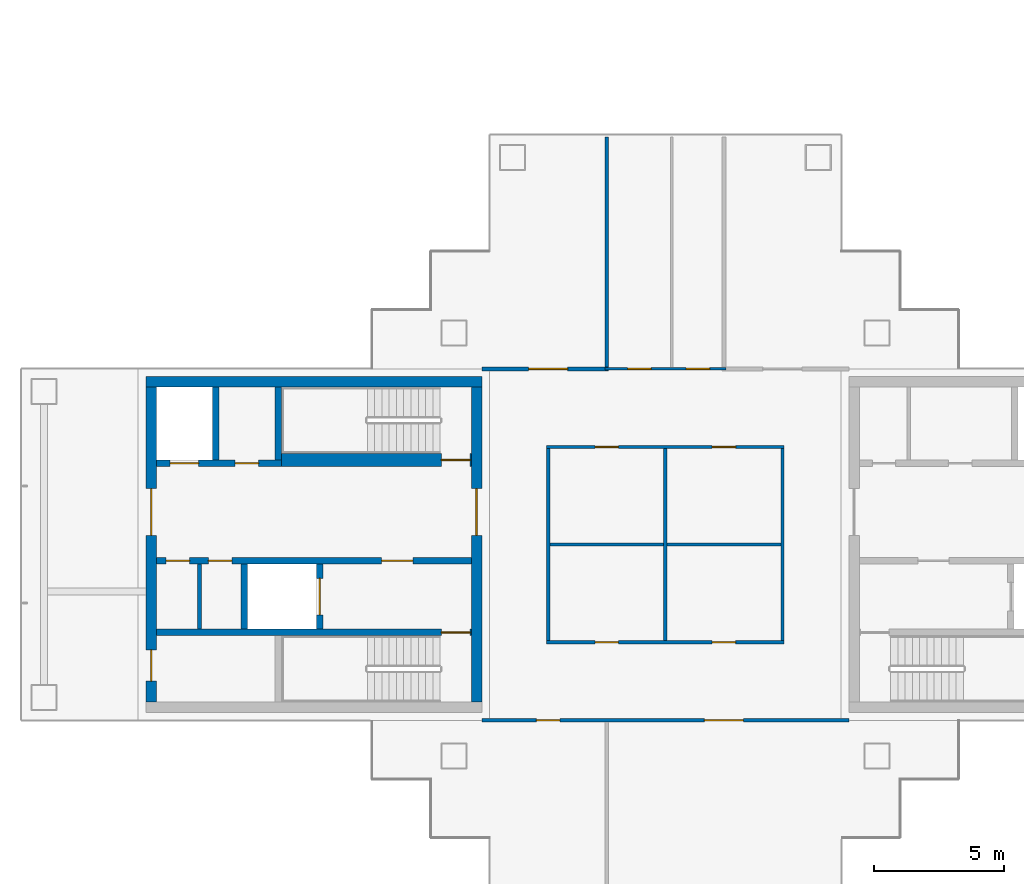
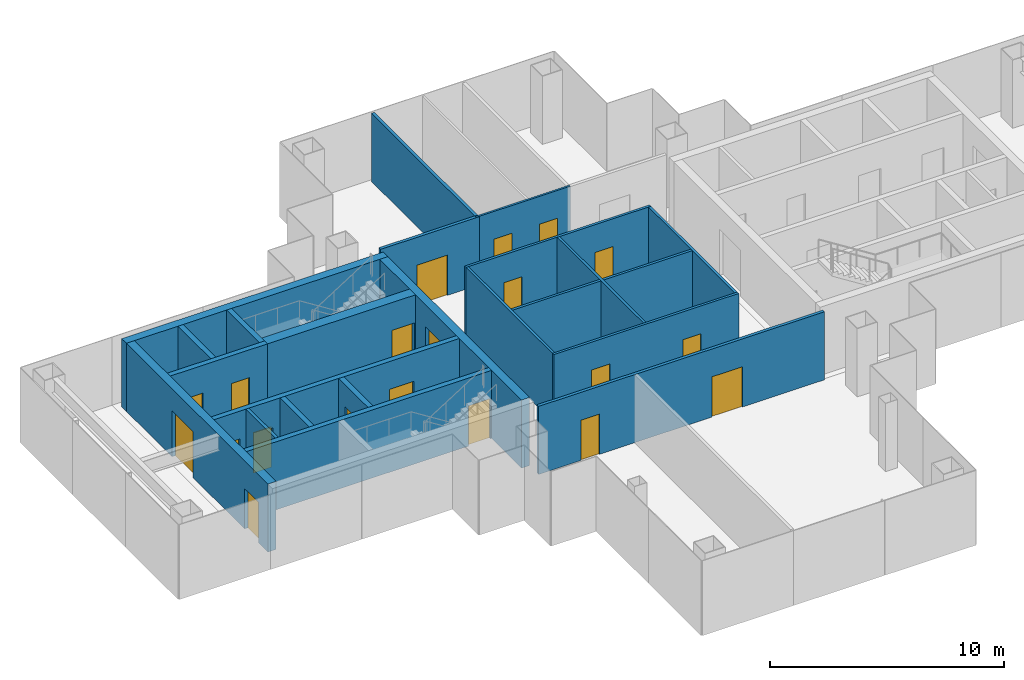
# One storey, part 9 of 16: 22 walls, 20 doors, 20 openings.
"""IFC4 building model written with IfcOpenShell, lengths in metres."""

from ifc_helpers import new_model, si_unit, direction, frame, frame_2d, origin, place, context, subcontext, project, spatial, rectangle, extrude, material, layer, layer_set, type_object, element, fill, save


model = new_model("IFC4")

# Units and contexts
model_context = context("Model", 3, precision=1e-05, world=origin(), true_north=direction((0.0, 1.0)))
body_context = subcontext(model_context, "Body", "Model", "MODEL_VIEW")
ifc_project = project(units=[si_unit("LENGTHUNIT", "METRE"), si_unit("AREAUNIT", "SQUARE_METRE"), si_unit("VOLUMEUNIT", "CUBIC_METRE"), si_unit("PLANEANGLEUNIT", "RADIAN"), si_unit("MASSUNIT", "GRAM", prefix="KILO")], contexts=[model_context])

# Site, building, storey
site_placement = place(None, origin())
site = spatial("IfcSite", under=ifc_project, at=site_placement, CompositionType="ELEMENT")
building_placement = place(site_placement, origin())
building = spatial("IfcBuilding", under=site, at=building_placement, Name="Shamsa Quay Exchange Towers", CompositionType="ELEMENT")
storey_placement = place(building_placement, frame((0.0, 0.0, 190.5)))
storey = spatial("IfcBuildingStorey", under=building, at=storey_placement, Name="L45", CompositionType="ELEMENT", Elevation=190.5)

# Wall
ifc_material_1 = material(Name="Concrete C60/75", Category="concrete")
ifc_layer_1 = layer(ifc_material_1, 0.39990234375)
ifc_layer_set_1 = layer_set([ifc_layer_1], Name="CORE WALL 400 C60/75")
wall_type_1 = type_object("IfcWallType", Name="CORE WALL 400 C60/75", PredefinedType="SHEAR", material=ifc_layer_set_1)
wall_1_placement = place(storey_placement, frame((-40.800048828125, 6.25, 0.0), z_axis=(0.0, 0.0, 1.0), x_axis=(-1.0, 0.0, 0.0)))
element("IfcWall", 1, at=wall_1_placement, inside=storey, type_object=wall_type_1, Name="Core wall T1B-R20-PN", PredefinedType="SHEAR", context=body_context, shape_type="SweptSolid", body=[
    extrude(rectangle(XDim=12.89990234375, YDim=0.39990234375, at=frame_2d((6.449951171875, 0.0))), origin(), (0.0, 0.0, 1.0), 3.550048828125),
])

# Wall, opening, door
wall_2_placement = place(storey_placement, frame((-41.0, -6.050048828125, 0.0), z_axis=(0.0, 0.0, 1.0), x_axis=(0.0, 1.0, 0.0)))
wall_2 = element("IfcWall", 2, at=wall_2_placement, inside=storey, type_object=wall_type_1, Name="Core wall T1B-R20-PF", PredefinedType="SHEAR", context=body_context, shape_type="SweptSolid", body=[
    extrude(rectangle(XDim=12.10009765625, YDim=0.39990234375, at=frame_2d((6.050048828125, 0.0))), origin(), (0.0, 0.0, 1.0), 3.550048828125),
])
opening_1_placement = place(wall_2_placement, frame((6.39990234375, 0.0, 0.0)))
opening_1 = element("IfcOpeningElement", 3, at=opening_1_placement, cuts=wall_2, Name="Opening T1B-R20-LBD01", PredefinedType="OPENING", context=body_context, shape_type="SweptSolid", body=[
    extrude(rectangle(XDim=1.800048828125, YDim=2.39990234375, at=frame_2d((0.89990234375, 1.199951171875))), frame((0.0, 0.2099609375, 0.0), z_axis=(0.0, -1.0, 0.0), x_axis=(1.0, 0.0, 0.0)), (0.0, 0.0, 1.0), 0.419921875),
])
ifc_material_2 = material(Name="Steel, fire rated", Category="steel")
door_type_1 = type_object("IfcDoorType", Name="LIFT LOBBY DOOR PAIR 1800", OperationType="DOUBLE_DOOR_SINGLE_SWING", PredefinedType="DOOR", material=ifc_material_2)
door_1_placement = place(opening_1_placement, origin())
door_1 = element("IfcDoor", 4, at=door_1_placement, inside=storey, type_object=door_type_1, Name="T1B-R20-LBD01", OperationType="DOUBLE_DOOR_SINGLE_SWING", OverallHeight=2.39990234375, OverallWidth=1.800048828125, PredefinedType="DOOR", context=body_context, shape_type="SweptSolid", body=[
    extrude(rectangle(XDim=1.800048828125, YDim=2.39990234375, at=frame_2d((0.89990234375, 1.199951171875))), frame((0.0, 0.02490234375, 0.0), z_axis=(0.0, -1.0, 0.0), x_axis=(1.0, 0.0, 0.0)), (0.0, 0.0, 1.0), 0.050048828125),
])
fill(opening_1, door_1)

# Wall, openings, doors
wall_3_placement = place(storey_placement, frame((-53.5, -6.050048828125, 0.0), z_axis=(0.0, 0.0, 1.0), x_axis=(0.0, 1.0, 0.0)))
wall_3 = element("IfcWall", 5, at=wall_3_placement, inside=storey, type_object=wall_type_1, Name="Core wall T1B-R20-PB", PredefinedType="SHEAR", context=body_context, shape_type="SweptSolid", body=[
    extrude(rectangle(XDim=12.10009765625, YDim=0.39990234375, at=frame_2d((6.050048828125, 0.0))), origin(), (0.0, 0.0, 1.0), 3.550048828125),
])
opening_2_placement = place(wall_3_placement, frame((0.800048828125, 0.0, 0.0)))
opening_2 = element("IfcOpeningElement", 6, at=opening_2_placement, cuts=wall_3, Name="Opening T1B-R20-RD02", PredefinedType="OPENING", context=body_context, shape_type="SweptSolid", body=[
    extrude(rectangle(XDim=1.199951171875, YDim=2.10009765625, at=frame_2d((0.60009765625, 1.050048828125))), frame((0.0, 0.2099609375, 0.0), z_axis=(0.0, -1.0, 0.0), x_axis=(1.0, 0.0, 0.0)), (0.0, 0.0, 1.0), 0.419921875),
])
opening_3_placement = place(wall_3_placement, frame((6.39990234375, 0.0, 0.0)))
opening_3 = element("IfcOpeningElement", 7, at=opening_3_placement, cuts=wall_3, Name="Opening T1B-R20-LBD03", PredefinedType="OPENING", context=body_context, shape_type="SweptSolid", body=[
    extrude(rectangle(XDim=1.800048828125, YDim=2.39990234375, at=frame_2d((0.89990234375, 1.199951171875))), frame((0.0, 0.2099609375, 0.0), z_axis=(0.0, -1.0, 0.0), x_axis=(1.0, 0.0, 0.0)), (0.0, 0.0, 1.0), 0.419921875),
])
door_2_placement = place(opening_3_placement, origin())
door_2 = element("IfcDoor", 8, at=door_2_placement, inside=storey, type_object=door_type_1, Name="T1B-R20-LBD03", OperationType="DOUBLE_DOOR_SINGLE_SWING", OverallHeight=2.39990234375, OverallWidth=1.800048828125, PredefinedType="DOOR", context=body_context, shape_type="SweptSolid", body=[
    extrude(rectangle(XDim=1.800048828125, YDim=2.39990234375, at=frame_2d((0.89990234375, 1.199951171875))), frame((0.0, 0.02490234375, 0.0), z_axis=(0.0, -1.0, 0.0), x_axis=(1.0, 0.0, 0.0)), (0.0, 0.0, 1.0), 0.050048828125),
])
fill(opening_3, door_2)
door_type_2 = type_object("IfcDoorType", Name="RISER ACCESS DOOR 1200", OperationType="SINGLE_SWING_LEFT", PredefinedType="DOOR", material=ifc_material_2)
door_3_placement = place(opening_2_placement, origin())
door_3 = element("IfcDoor", 9, at=door_3_placement, inside=storey, type_object=door_type_2, Name="T1B-R20-RD02", OperationType="SINGLE_SWING_LEFT", OverallHeight=2.10009765625, OverallWidth=1.199951171875, PredefinedType="DOOR", context=body_context, shape_type="SweptSolid", body=[
    extrude(rectangle(XDim=1.199951171875, YDim=2.10009765625, at=frame_2d((0.60009765625, 1.050048828125))), frame((0.0, 0.02490234375, 0.0), z_axis=(0.0, -1.0, 0.0), x_axis=(1.0, 0.0, 0.0)), (0.0, 0.0, 1.0), 0.050048828125),
])
fill(opening_2, door_3)

# Walls
ifc_material_3 = material(Name="Gypsum board on steel studs, EI 60", Category="steel")
ifc_layer_2 = layer(ifc_material_3, 0.14990234375)
ifc_layer_set_2 = layer_set([ifc_layer_2], Name="FIRE PARTITION 150")
wall_type_2 = type_object("IfcWallType", Name="FIRE PARTITION 150", PredefinedType="PARTITIONING", material=ifc_layer_set_2)
wall_4_placement = place(storey_placement, frame((-51.64990234375, -3.25, 0.0), z_axis=(0.0, 0.0, 1.0), x_axis=(0.0, 1.0, 0.0)))
element("IfcWall", 10, at=wall_4_placement, inside=storey, type_object=wall_type_2, Name="Partition T1B-R20-EC0", PredefinedType="PARTITIONING", context=body_context, shape_type="SweptSolid", body=[
    extrude(rectangle(XDim=2.5, YDim=0.14990234375, at=frame_2d((1.25, 0.0))), origin(), (0.0, 0.0, 1.0), 3.550048828125),
])
ifc_material_4 = material(Name="Laminated fire-resisting glass in a metal frame", Category="glass")
ifc_layer_3 = layer(ifc_material_4, 0.125)
ifc_layer_set_3 = layer_set([ifc_layer_3], Name="Glazed partition 125 mm EI 60")
wall_type_3 = type_object("IfcWallType", Name="Glazed partition 125 mm EI 60", PredefinedType="PARTITIONING", material=ifc_layer_set_3)
wall_5_placement = place(storey_placement, frame((-29.25, -3.6875, 0.0), z_axis=(0.0, 0.0, 1.0), x_axis=(0.0, 1.0, 0.0)))
element("IfcWall", 11, at=wall_5_placement, inside=storey, type_object=wall_type_3, Name="Partition T1-R20-W01", PredefinedType="PARTITIONING", context=body_context, shape_type="SweptSolid", body=[
    extrude(rectangle(XDim=7.375, YDim=0.125, at=frame_2d((3.6875, 0.0))), origin(), (0.0, 0.0, 1.0), 3.550048828125),
])

# Wall, openings, doors
wall_6_placement = place(storey_placement, frame((-29.1875, 3.75, 0.0), z_axis=(0.0, 0.0, 1.0), x_axis=(-1.0, 0.0, 0.0)))
wall_6 = element("IfcWall", 12, at=wall_6_placement, inside=storey, type_object=wall_type_3, Name="Partition T1-R20-W02", PredefinedType="PARTITIONING", context=body_context, shape_type="SweptSolid", body=[
    extrude(rectangle(XDim=9.125, YDim=0.125, at=frame_2d((4.5625, 0.0))), origin(), (0.0, 0.0, 1.0), 3.550048828125),
])
opening_4_placement = place(wall_6_placement, frame((1.862548828125, 0.0, 0.0)))
opening_4 = element("IfcOpeningElement", 13, at=opening_4_placement, cuts=wall_6, Name="Opening T1-R20-D07", PredefinedType="OPENING", context=body_context, shape_type="SweptSolid", body=[
    extrude(rectangle(XDim=0.89990234375, YDim=2.10009765625, at=frame_2d((0.449951171875, 1.050048828125))), frame((0.0, 0.072509765625, 0.0), z_axis=(0.0, -1.0, 0.0), x_axis=(1.0, 0.0, 0.0)), (0.0, 0.0, 1.0), 0.14501953125),
])
opening_5_placement = place(wall_6_placement, frame((6.362548828125, 0.0, 0.0)))
opening_5 = element("IfcOpeningElement", 14, at=opening_5_placement, cuts=wall_6, Name="Opening T1-R20-D08", PredefinedType="OPENING", context=body_context, shape_type="SweptSolid", body=[
    extrude(rectangle(XDim=0.89990234375, YDim=2.10009765625, at=frame_2d((0.449951171875, 1.050048828125))), frame((0.0, 0.072509765625, 0.0), z_axis=(0.0, -1.0, 0.0), x_axis=(1.0, 0.0, 0.0)), (0.0, 0.0, 1.0), 0.14501953125),
])
ifc_material_5 = material(Name="Timber door leaf in a metal frame", Category="wood")
door_type_3 = type_object("IfcDoorType", Name="Door 900x2100 FD30S", OperationType="NOTDEFINED", PredefinedType="DOOR", material=ifc_material_5)
door_4_placement = place(opening_4_placement, origin())
door_4 = element("IfcDoor", 15, at=door_4_placement, inside=storey, type_object=door_type_3, Name="Door T1-R20-D07", OperationType="SINGLE_SWING_LEFT", OverallHeight=2.10009765625, OverallWidth=0.89990234375, PredefinedType="DOOR", context=body_context, shape_type="SweptSolid", body=[
    extrude(rectangle(XDim=0.89990234375, YDim=2.10009765625, at=frame_2d((0.449951171875, 1.050048828125))), frame((0.0, 0.02490234375, 0.0), z_axis=(0.0, -1.0, 0.0), x_axis=(1.0, 0.0, 0.0)), (0.0, 0.0, 1.0), 0.050048828125),
])
fill(opening_4, door_4)
door_5_placement = place(opening_5_placement, origin())
door_5 = element("IfcDoor", 16, at=door_5_placement, inside=storey, type_object=door_type_3, Name="Door T1-R20-D08", OperationType="SINGLE_SWING_RIGHT", OverallHeight=2.10009765625, OverallWidth=0.89990234375, PredefinedType="DOOR", context=body_context, shape_type="SweptSolid", body=[
    extrude(rectangle(XDim=0.89990234375, YDim=2.10009765625, at=frame_2d((0.449951171875, 1.050048828125))), frame((0.0, 0.02490234375, 0.0), z_axis=(0.0, -1.0, 0.0), x_axis=(1.0, 0.0, 0.0)), (0.0, 0.0, 1.0), 0.050048828125),
])
fill(opening_5, door_5)

wall_7_placement = place(storey_placement, frame((-38.3125, -3.75, 0.0)))
wall_7 = element("IfcWall", 17, at=wall_7_placement, inside=storey, type_object=wall_type_3, Name="Partition T1-R20-W03", PredefinedType="PARTITIONING", context=body_context, shape_type="SweptSolid", body=[
    extrude(rectangle(XDim=9.125, YDim=0.125, at=frame_2d((4.5625, 0.0))), origin(), (0.0, 0.0, 1.0), 3.550048828125),
])
opening_6_placement = place(wall_7_placement, frame((1.862548828125, 0.0, 0.0)))
opening_6 = element("IfcOpeningElement", 18, at=opening_6_placement, cuts=wall_7, Name="Opening T1-R20-D02", PredefinedType="OPENING", context=body_context, shape_type="SweptSolid", body=[
    extrude(rectangle(XDim=0.89990234375, YDim=2.10009765625, at=frame_2d((0.449951171875, 1.050048828125))), frame((0.0, 0.072509765625, 0.0), z_axis=(0.0, -1.0, 0.0), x_axis=(1.0, 0.0, 0.0)), (0.0, 0.0, 1.0), 0.14501953125),
])
opening_7_placement = place(wall_7_placement, frame((6.362548828125, 0.0, 0.0)))
opening_7 = element("IfcOpeningElement", 19, at=opening_7_placement, cuts=wall_7, Name="Opening T1-R20-D03", PredefinedType="OPENING", context=body_context, shape_type="SweptSolid", body=[
    extrude(rectangle(XDim=0.89990234375, YDim=2.10009765625, at=frame_2d((0.449951171875, 1.050048828125))), frame((0.0, 0.072509765625, 0.0), z_axis=(0.0, -1.0, 0.0), x_axis=(1.0, 0.0, 0.0)), (0.0, 0.0, 1.0), 0.14501953125),
])
door_6_placement = place(opening_6_placement, origin())
door_6 = element("IfcDoor", 20, at=door_6_placement, inside=storey, type_object=door_type_3, Name="Door T1-R20-D02", OperationType="SINGLE_SWING_LEFT", OverallHeight=2.10009765625, OverallWidth=0.89990234375, PredefinedType="DOOR", context=body_context, shape_type="SweptSolid", body=[
    extrude(rectangle(XDim=0.89990234375, YDim=2.10009765625, at=frame_2d((0.449951171875, 1.050048828125))), frame((0.0, 0.02490234375, 0.0), z_axis=(0.0, -1.0, 0.0), x_axis=(1.0, 0.0, 0.0)), (0.0, 0.0, 1.0), 0.050048828125),
])
fill(opening_6, door_6)
door_7_placement = place(opening_7_placement, origin())
door_7 = element("IfcDoor", 21, at=door_7_placement, inside=storey, type_object=door_type_3, Name="Door T1-R20-D03", OperationType="SINGLE_SWING_LEFT", OverallHeight=2.10009765625, OverallWidth=0.89990234375, PredefinedType="DOOR", context=body_context, shape_type="SweptSolid", body=[
    extrude(rectangle(XDim=0.89990234375, YDim=2.10009765625, at=frame_2d((0.449951171875, 1.050048828125))), frame((0.0, 0.02490234375, 0.0), z_axis=(0.0, -1.0, 0.0), x_axis=(1.0, 0.0, 0.0)), (0.0, 0.0, 1.0), 0.050048828125),
])
fill(opening_7, door_7)

# Walls
wall_8_placement = place(storey_placement, frame((-38.25, 3.6875, 0.0), z_axis=(0.0, 0.0, 1.0), x_axis=(0.0, -1.0, 0.0)))
element("IfcWall", 22, at=wall_8_placement, inside=storey, type_object=wall_type_3, Name="Partition T1-R20-W04", PredefinedType="PARTITIONING", context=body_context, shape_type="SweptSolid", body=[
    extrude(rectangle(XDim=7.375, YDim=0.125, at=frame_2d((3.6875, 0.0))), origin(), (0.0, 0.0, 1.0), 3.550048828125),
])
wall_9_placement = place(storey_placement, frame((-38.1875, 0.0, 0.0)))
element("IfcWall", 23, at=wall_9_placement, inside=storey, type_object=wall_type_3, Name="Partition T1-R20-W09", PredefinedType="PARTITIONING", context=body_context, shape_type="SweptSolid", body=[
    extrude(rectangle(XDim=8.875, YDim=0.125, at=frame_2d((4.4375, 0.0))), origin(), (0.0, 0.0, 1.0), 3.550048828125),
])
wall_10_placement = place(storey_placement, frame((-33.75, 3.6875, 0.0), z_axis=(0.0, 0.0, 1.0), x_axis=(0.0, -1.0, 0.0)))
element("IfcWall", 24, at=wall_10_placement, inside=storey, type_object=wall_type_3, Name="Partition T1-R20-W10", PredefinedType="PARTITIONING", context=body_context, shape_type="SweptSolid", body=[
    extrude(rectangle(XDim=7.375, YDim=0.125, at=frame_2d((3.6875, 0.0))), origin(), (0.0, 0.0, 1.0), 3.550048828125),
])

# Wall, openings, doors
ifc_material_6 = material(Name="Gypsum board partition on metal studs")
ifc_layer_4 = layer(ifc_material_6, 0.10009765625)
ifc_layer_set_4 = layer_set([ifc_layer_4], Name="Partition 100 mm NOT RATED")
wall_type_4 = type_object("IfcWallType", Name="Partition 100 mm NOT RATED", PredefinedType="PARTITIONING", material=ifc_layer_set_4)
wall_11_placement = place(storey_placement, frame((-36.074951171875, 6.75, 0.0)))
wall_11 = element("IfcWall", 25, at=wall_11_placement, inside=storey, type_object=wall_type_4, Name="Partition T1-R20-W07", PredefinedType="PARTITIONING", context=body_context, shape_type="SweptSolid", body=[
    extrude(rectangle(XDim=4.64990234375, YDim=0.10009765625, at=frame_2d((2.324951171875, 0.0))), origin(), (0.0, 0.0, 1.0), 3.550048828125),
])
opening_8_placement = place(wall_11_placement, frame((0.875, 0.0, 0.0)))
opening_8 = element("IfcOpeningElement", 26, at=opening_8_placement, cuts=wall_11, Name="Opening T1-R20-D04", PredefinedType="OPENING", context=body_context, shape_type="SweptSolid", body=[
    extrude(rectangle(XDim=0.89990234375, YDim=2.10009765625, at=frame_2d((0.449951171875, 1.050048828125))), frame((0.0, 0.06005859375, 0.0), z_axis=(0.0, -1.0, 0.0), x_axis=(1.0, 0.0, 0.0)), (0.0, 0.0, 1.0), 0.1201171875),
])
opening_9_placement = place(wall_11_placement, frame((3.125, 0.0, 0.0)))
opening_9 = element("IfcOpeningElement", 27, at=opening_9_placement, cuts=wall_11, Name="Opening T1-R20-D05", PredefinedType="OPENING", context=body_context, shape_type="SweptSolid", body=[
    extrude(rectangle(XDim=0.89990234375, YDim=2.10009765625, at=frame_2d((0.449951171875, 1.050048828125))), frame((0.0, 0.06005859375, 0.0), z_axis=(0.0, -1.0, 0.0), x_axis=(1.0, 0.0, 0.0)), (0.0, 0.0, 1.0), 0.1201171875),
])
door_type_4 = type_object("IfcDoorType", Name="Door 900x2100 NOT RATED", OperationType="NOTDEFINED", PredefinedType="DOOR", material=ifc_material_5)
door_8_placement = place(opening_8_placement, origin())
door_8 = element("IfcDoor", 28, at=door_8_placement, inside=storey, type_object=door_type_4, Name="Door T1-R20-D04", OperationType="SINGLE_SWING_RIGHT", OverallHeight=2.10009765625, OverallWidth=0.89990234375, PredefinedType="DOOR", context=body_context, shape_type="SweptSolid", body=[
    extrude(rectangle(XDim=0.89990234375, YDim=2.10009765625, at=frame_2d((0.449951171875, 1.050048828125))), frame((0.0, 0.02490234375, 0.0), z_axis=(0.0, -1.0, 0.0), x_axis=(1.0, 0.0, 0.0)), (0.0, 0.0, 1.0), 0.050048828125),
])
fill(opening_8, door_8)
door_9_placement = place(opening_9_placement, origin())
door_9 = element("IfcDoor", 29, at=door_9_placement, inside=storey, type_object=door_type_4, Name="Door T1-R20-D05", OperationType="SINGLE_SWING_RIGHT", OverallHeight=2.10009765625, OverallWidth=0.89990234375, PredefinedType="DOOR", context=body_context, shape_type="SweptSolid", body=[
    extrude(rectangle(XDim=0.89990234375, YDim=2.10009765625, at=frame_2d((0.449951171875, 1.050048828125))), frame((0.0, 0.02490234375, 0.0), z_axis=(0.0, -1.0, 0.0), x_axis=(1.0, 0.0, 0.0)), (0.0, 0.0, 1.0), 0.050048828125),
])
fill(opening_9, door_9)

# Wall, opening, door
ifc_layer_5 = layer(ifc_material_6, 0.14990234375)
ifc_layer_set_5 = layer_set([ifc_layer_5], Name="Partition 150 mm EI 60")
wall_type_5 = type_object("IfcWallType", Name="Partition 150 mm EI 60", PredefinedType="PARTITIONING", material=ifc_layer_set_5)
wall_12_placement = place(storey_placement, frame((-40.800048828125, 6.75, 0.0)))
wall_12 = element("IfcWall", 30, at=wall_12_placement, inside=storey, type_object=wall_type_5, Name="Partition T1-R20-W05", PredefinedType="PARTITIONING", context=body_context, shape_type="SweptSolid", body=[
    extrude(rectangle(XDim=4.875, YDim=0.14990234375, at=frame_2d((2.4375, 0.0))), origin(), (0.0, 0.0, 1.0), 3.550048828125),
])
opening_10_placement = place(wall_12_placement, frame((1.800048828125, 0.0, 0.0)))
opening_10 = element("IfcOpeningElement", 31, at=opening_10_placement, cuts=wall_12, Name="Opening T1-R20-D01", PredefinedType="OPENING", context=body_context, shape_type="SweptSolid", body=[
    extrude(rectangle(XDim=1.5, YDim=2.10009765625, at=frame_2d((0.75, 1.050048828125))), frame((0.0, 0.0849609375, 0.0), z_axis=(0.0, -1.0, 0.0), x_axis=(1.0, 0.0, 0.0)), (0.0, 0.0, 1.0), 0.169921875),
])
door_type_5 = type_object("IfcDoorType", Name="Door 1500x2100 FD30S pair", OperationType="NOTDEFINED", PredefinedType="DOOR", material=ifc_material_5)
door_10_placement = place(opening_10_placement, origin())
door_10 = element("IfcDoor", 32, at=door_10_placement, inside=storey, type_object=door_type_5, Name="Door T1-R20-D01", OperationType="DOUBLE_DOOR_SINGLE_SWING", OverallHeight=2.10009765625, OverallWidth=1.5, PredefinedType="DOOR", context=body_context, shape_type="SweptSolid", body=[
    extrude(rectangle(XDim=1.5, YDim=2.10009765625, at=frame_2d((0.75, 1.050048828125))), frame((0.0, 0.02490234375, 0.0), z_axis=(0.0, -1.0, 0.0), x_axis=(1.0, 0.0, 0.0)), (0.0, 0.0, 1.0), 0.050048828125),
])
fill(opening_10, door_10)

# Wall, openings, doors
wall_13_placement = place(storey_placement, frame((-26.699951171875, -6.75, 0.0), z_axis=(0.0, 0.0, 1.0), x_axis=(-1.0, 0.0, 0.0)))
wall_13 = element("IfcWall", 33, at=wall_13_placement, inside=storey, type_object=wall_type_5, Name="Partition T1-R20-W08", PredefinedType="PARTITIONING", context=body_context, shape_type="SweptSolid", body=[
    extrude(rectangle(XDim=14.10009765625, YDim=0.14990234375, at=frame_2d((7.050048828125, 0.0))), origin(), (0.0, 0.0, 1.0), 3.550048828125),
])
opening_11_placement = place(wall_13_placement, frame((4.050048828125, 0.0, 0.0)))
opening_11 = element("IfcOpeningElement", 34, at=opening_11_placement, cuts=wall_13, Name="Opening T1-R20-D09", PredefinedType="OPENING", context=body_context, shape_type="SweptSolid", body=[
    extrude(rectangle(XDim=1.5, YDim=2.10009765625, at=frame_2d((0.75, 1.050048828125))), frame((0.0, 0.0849609375, 0.0), z_axis=(0.0, -1.0, 0.0), x_axis=(1.0, 0.0, 0.0)), (0.0, 0.0, 1.0), 0.169921875),
])
opening_12_placement = place(wall_13_placement, frame((11.10009765625, 0.0, 0.0)))
opening_12 = element("IfcOpeningElement", 35, at=opening_12_placement, cuts=wall_13, Name="Opening T1-R20-D10", PredefinedType="OPENING", context=body_context, shape_type="SweptSolid", body=[
    extrude(rectangle(XDim=0.89990234375, YDim=2.10009765625, at=frame_2d((0.449951171875, 1.050048828125))), frame((0.0, 0.0849609375, 0.0), z_axis=(0.0, -1.0, 0.0), x_axis=(1.0, 0.0, 0.0)), (0.0, 0.0, 1.0), 0.169921875),
])
door_11_placement = place(opening_11_placement, origin())
door_11 = element("IfcDoor", 36, at=door_11_placement, inside=storey, type_object=door_type_5, Name="Door T1-R20-D09", OperationType="DOUBLE_DOOR_SINGLE_SWING", OverallHeight=2.10009765625, OverallWidth=1.5, PredefinedType="DOOR", context=body_context, shape_type="SweptSolid", body=[
    extrude(rectangle(XDim=1.5, YDim=2.10009765625, at=frame_2d((0.75, 1.050048828125))), frame((0.0, 0.02490234375, 0.0), z_axis=(0.0, -1.0, 0.0), x_axis=(1.0, 0.0, 0.0)), (0.0, 0.0, 1.0), 0.050048828125),
])
fill(opening_11, door_11)
door_12_placement = place(opening_12_placement, origin())
door_12 = element("IfcDoor", 37, at=door_12_placement, inside=storey, type_object=door_type_3, Name="Door T1-R20-D10", OperationType="SINGLE_SWING_LEFT", OverallHeight=2.10009765625, OverallWidth=0.89990234375, PredefinedType="DOOR", context=body_context, shape_type="SweptSolid", body=[
    extrude(rectangle(XDim=0.89990234375, YDim=2.10009765625, at=frame_2d((0.449951171875, 1.050048828125))), frame((0.0, 0.02490234375, 0.0), z_axis=(0.0, -1.0, 0.0), x_axis=(1.0, 0.0, 0.0)), (0.0, 0.0, 1.0), 0.050048828125),
])
fill(opening_12, door_12)

# Wall
wall_14_placement = place(storey_placement, frame((-36.0, 6.824951171875, 0.0), z_axis=(0.0, 0.0, 1.0), x_axis=(0.0, 1.0, 0.0)))
element("IfcWall", 38, at=wall_14_placement, inside=storey, type_object=wall_type_5, Name="Partition T1-R20-W12", PredefinedType="PARTITIONING", context=body_context, shape_type="SweptSolid", body=[
    extrude(rectangle(XDim=8.830078125, YDim=0.14990234375, at=frame_2d((4.4150390625, 0.0))), origin(), (0.0, 0.0, 1.0), 3.550048828125),
])

# Wall, opening, door
ifc_material_7 = material(Name="Concrete C50/60", Category="concrete")
ifc_layer_6 = layer(ifc_material_7, 0.25)
ifc_layer_set_6 = layer_set([ifc_layer_6], Name="SHAFT WALL 250 C50/60")
wall_type_6 = type_object("IfcWallType", Name="SHAFT WALL 250 C50/60", PredefinedType="SHEAR", material=ifc_layer_set_6)
wall_15_placement = place(storey_placement, frame((-41.199951171875, -3.375, 0.0), z_axis=(0.0, 0.0, 1.0), x_axis=(-1.0, 0.0, 0.0)))
wall_15 = element("IfcWall", 39, at=wall_15_placement, inside=storey, type_object=wall_type_6, Name="Shaft wall T1B-R20-STL", PredefinedType="SHEAR", context=body_context, shape_type="SweptSolid", body=[
    extrude(rectangle(XDim=12.10009765625, YDim=0.25, at=frame_2d((6.050048828125, 0.0))), origin(), (0.0, 0.0, 1.0), 3.550048828125),
])
opening_13_placement = place(wall_15_placement, frame((0.050048828125, 0.0, 0.0)))
opening_13 = element("IfcOpeningElement", 40, at=opening_13_placement, cuts=wall_15, Name="Opening T1B-R20-SD04", PredefinedType="OPENING", context=body_context, shape_type="SweptSolid", body=[
    extrude(rectangle(XDim=1.10009765625, YDim=2.10009765625, at=frame_2d((0.550048828125, 1.050048828125))), frame((0.0, 0.135009765625, 0.0), z_axis=(0.0, -1.0, 0.0), x_axis=(1.0, 0.0, 0.0)), (0.0, 0.0, 1.0), 0.27001953125),
])
door_type_6 = type_object("IfcDoorType", Name="STAIR DOOR 1100", OperationType="SINGLE_SWING_LEFT", PredefinedType="DOOR", material=ifc_material_2)
door_13_placement = place(opening_13_placement, origin())
door_13 = element("IfcDoor", 41, at=door_13_placement, inside=storey, type_object=door_type_6, Name="T1B-R20-SD04", OperationType="SINGLE_SWING_LEFT", OverallHeight=2.10009765625, OverallWidth=1.10009765625, PredefinedType="DOOR", context=body_context, shape_type="SweptSolid", body=[
    extrude(rectangle(XDim=1.10009765625, YDim=2.10009765625, at=frame_2d((0.550048828125, 1.050048828125))), frame((0.0, 0.02490234375, 0.0), z_axis=(0.0, -1.0, 0.0), x_axis=(1.0, 0.0, 0.0)), (0.0, 0.0, 1.0), 0.050048828125),
])
fill(opening_13, door_13)

# Wall, openings, doors
wall_16_placement = place(storey_placement, frame((-41.199951171875, -0.625, 0.0), z_axis=(0.0, 0.0, 1.0), x_axis=(-1.0, 0.0, 0.0)))
wall_16 = element("IfcWall", 42, at=wall_16_placement, inside=storey, type_object=wall_type_6, Name="Shaft wall T1B-R20-B", PredefinedType="SHEAR", context=body_context, shape_type="SweptSolid", body=[
    extrude(rectangle(XDim=12.10009765625, YDim=0.25, at=frame_2d((6.050048828125, 0.0))), origin(), (0.0, 0.0, 1.0), 3.550048828125),
])
opening_14_placement = place(wall_16_placement, frame((2.25, 0.0, 0.0)))
opening_14 = element("IfcOpeningElement", 43, at=opening_14_placement, cuts=wall_16, Name="Opening T1B-R20-FD05", PredefinedType="OPENING", context=body_context, shape_type="SweptSolid", body=[
    extrude(rectangle(XDim=1.199951171875, YDim=2.10009765625, at=frame_2d((0.60009765625, 1.050048828125))), frame((0.0, 0.135009765625, 0.0), z_axis=(0.0, -1.0, 0.0), x_axis=(1.0, 0.0, 0.0)), (0.0, 0.0, 1.0), 0.27001953125),
])
opening_15_placement = place(wall_16_placement, frame((9.199951171875, 0.0, 0.0)))
opening_15 = element("IfcOpeningElement", 44, at=opening_15_placement, cuts=wall_16, Name="Opening T1B-R20-SV06", PredefinedType="OPENING", context=body_context, shape_type="SweptSolid", body=[
    extrude(rectangle(XDim=0.89990234375, YDim=2.10009765625, at=frame_2d((0.449951171875, 1.050048828125))), frame((0.0, 0.135009765625, 0.0), z_axis=(0.0, -1.0, 0.0), x_axis=(1.0, 0.0, 0.0)), (0.0, 0.0, 1.0), 0.27001953125),
])
opening_16_placement = place(wall_16_placement, frame((10.824951171875, 0.0, 0.0)))
opening_16 = element("IfcOpeningElement", 45, at=opening_16_placement, cuts=wall_16, Name="Opening T1B-R20-SV07", PredefinedType="OPENING", context=body_context, shape_type="SweptSolid", body=[
    extrude(rectangle(XDim=0.89990234375, YDim=2.10009765625, at=frame_2d((0.449951171875, 1.050048828125))), frame((0.0, 0.135009765625, 0.0), z_axis=(0.0, -1.0, 0.0), x_axis=(1.0, 0.0, 0.0)), (0.0, 0.0, 1.0), 0.27001953125),
])
door_type_7 = type_object("IfcDoorType", Name="FIRE SERVICE LOBBY DOOR 1200", OperationType="SINGLE_SWING_LEFT", PredefinedType="DOOR", material=ifc_material_2)
door_14_placement = place(opening_14_placement, origin())
door_14 = element("IfcDoor", 46, at=door_14_placement, inside=storey, type_object=door_type_7, Name="T1B-R20-FD05", OperationType="SINGLE_SWING_LEFT", OverallHeight=2.10009765625, OverallWidth=1.199951171875, PredefinedType="DOOR", context=body_context, shape_type="SweptSolid", body=[
    extrude(rectangle(XDim=1.199951171875, YDim=2.10009765625, at=frame_2d((0.60009765625, 1.050048828125))), frame((0.0, 0.02490234375, 0.0), z_axis=(0.0, -1.0, 0.0), x_axis=(1.0, 0.0, 0.0)), (0.0, 0.0, 1.0), 0.050048828125),
])
fill(opening_14, door_14)
door_type_8 = type_object("IfcDoorType", Name="SERVICE ROOM DOOR 900", OperationType="SINGLE_SWING_LEFT", PredefinedType="DOOR", material=ifc_material_2)
door_15_placement = place(opening_15_placement, origin())
door_15 = element("IfcDoor", 47, at=door_15_placement, inside=storey, type_object=door_type_8, Name="T1B-R20-SV06", OperationType="SINGLE_SWING_RIGHT", OverallHeight=2.10009765625, OverallWidth=0.89990234375, PredefinedType="DOOR", context=body_context, shape_type="SweptSolid", body=[
    extrude(rectangle(XDim=0.89990234375, YDim=2.10009765625, at=frame_2d((0.449951171875, 1.050048828125))), frame((0.0, 0.02490234375, 0.0), z_axis=(0.0, -1.0, 0.0), x_axis=(1.0, 0.0, 0.0)), (0.0, 0.0, 1.0), 0.050048828125),
])
fill(opening_15, door_15)
door_16_placement = place(opening_16_placement, origin())
door_16 = element("IfcDoor", 48, at=door_16_placement, inside=storey, type_object=door_type_8, Name="T1B-R20-SV07", OperationType="SINGLE_SWING_RIGHT", OverallHeight=2.10009765625, OverallWidth=0.89990234375, PredefinedType="DOOR", context=body_context, shape_type="SweptSolid", body=[
    extrude(rectangle(XDim=0.89990234375, YDim=2.10009765625, at=frame_2d((0.449951171875, 1.050048828125))), frame((0.0, 0.02490234375, 0.0), z_axis=(0.0, -1.0, 0.0), x_axis=(1.0, 0.0, 0.0)), (0.0, 0.0, 1.0), 0.050048828125),
])
fill(opening_16, door_16)

# Wall, opening, door
wall_17_placement = place(storey_placement, frame((-47.02490234375, -3.25, 0.0), z_axis=(0.0, 0.0, 1.0), x_axis=(0.0, 1.0, 0.0)))
wall_17 = element("IfcWall", 49, at=wall_17_placement, inside=storey, type_object=wall_type_6, Name="Shaft wall T1B-R20-FFF", PredefinedType="SHEAR", context=body_context, shape_type="SweptSolid", body=[
    extrude(rectangle(XDim=2.5, YDim=0.25, at=frame_2d((1.25, 0.0))), origin(), (0.0, 0.0, 1.0), 3.550048828125),
])
opening_17_placement = place(wall_17_placement, frame((0.550048828125, 0.0, 0.0)))
opening_17 = element("IfcOpeningElement", 50, at=opening_17_placement, cuts=wall_17, Name="Opening T1B-R20-LDG08", PredefinedType="OPENING", context=body_context, shape_type="SweptSolid", body=[
    extrude(rectangle(XDim=1.39990234375, YDim=2.39990234375, at=frame_2d((0.699951171875, 1.199951171875))), frame((0.0, 0.135009765625, 0.0), z_axis=(0.0, -1.0, 0.0), x_axis=(1.0, 0.0, 0.0)), (0.0, 0.0, 1.0), 0.27001953125),
])
door_type_9 = type_object("IfcDoorType", Name="GOODS LIFT LANDING DOOR 1400", OperationType="SLIDING_TO_LEFT", PredefinedType="DOOR", material=ifc_material_2)
door_17_placement = place(opening_17_placement, origin())
door_17 = element("IfcDoor", 51, at=door_17_placement, inside=storey, type_object=door_type_9, Name="T1B-R20-LDG08", OperationType="SLIDING_TO_LEFT", OverallHeight=2.39990234375, OverallWidth=1.39990234375, PredefinedType="DOOR", context=body_context, shape_type="SweptSolid", body=[
    extrude(rectangle(XDim=1.39990234375, YDim=2.39990234375, at=frame_2d((0.699951171875, 1.199951171875))), frame((0.0, 0.02490234375, 0.0), z_axis=(0.0, -1.0, 0.0), x_axis=(1.0, 0.0, 0.0)), (0.0, 0.0, 1.0), 0.050048828125),
])
fill(opening_17, door_17)

# Wall
wall_18_placement = place(storey_placement, frame((-49.925048828125, -3.25, 0.0), z_axis=(0.0, 0.0, 1.0), x_axis=(0.0, 1.0, 0.0)))
element("IfcWall", 52, at=wall_18_placement, inside=storey, type_object=wall_type_6, Name="Shaft wall T1B-R20-FFB", PredefinedType="SHEAR", context=body_context, shape_type="SweptSolid", body=[
    extrude(rectangle(XDim=2.5, YDim=0.25, at=frame_2d((1.25, 0.0))), origin(), (0.0, 0.0, 1.0), 3.550048828125),
])

# Wall, openings, doors
wall_19_placement = place(storey_placement, frame((-53.300048828125, 3.125, 0.0)))
wall_19 = element("IfcWall", 53, at=wall_19_placement, inside=storey, type_object=wall_type_6, Name="Shaft wall T1B-R20-N2", PredefinedType="SHEAR", context=body_context, shape_type="SweptSolid", body=[
    extrude(rectangle(XDim=4.800048828125, YDim=0.25, at=frame_2d((2.39990234375, 0.0))), origin(), (0.0, 0.0, 1.0), 3.550048828125),
])
opening_18_placement = place(wall_19_placement, frame((0.52490234375, 0.0, 0.0)))
opening_18 = element("IfcOpeningElement", 54, at=opening_18_placement, cuts=wall_19, Name="Opening T1B-R20-LD10", PredefinedType="OPENING", context=body_context, shape_type="SweptSolid", body=[
    extrude(rectangle(XDim=1.10009765625, YDim=2.10009765625, at=frame_2d((0.550048828125, 1.050048828125))), frame((0.0, 0.135009765625, 0.0), z_axis=(0.0, -1.0, 0.0), x_axis=(1.0, 0.0, 0.0)), (0.0, 0.0, 1.0), 0.27001953125),
])
opening_19_placement = place(wall_19_placement, frame((3.02490234375, 0.0, 0.0)))
opening_19 = element("IfcOpeningElement", 55, at=opening_19_placement, cuts=wall_19, Name="Opening T1B-R20-SV11", PredefinedType="OPENING", context=body_context, shape_type="SweptSolid", body=[
    extrude(rectangle(XDim=0.89990234375, YDim=2.10009765625, at=frame_2d((0.449951171875, 1.050048828125))), frame((0.0, 0.135009765625, 0.0), z_axis=(0.0, -1.0, 0.0), x_axis=(1.0, 0.0, 0.0)), (0.0, 0.0, 1.0), 0.27001953125),
])
door_type_10 = type_object("IfcDoorType", Name="LANDING DOOR 1100", OperationType="SLIDING_TO_LEFT", PredefinedType="DOOR", material=ifc_material_2)
door_18_placement = place(opening_18_placement, origin())
door_18 = element("IfcDoor", 56, at=door_18_placement, inside=storey, type_object=door_type_10, Name="T1B-R20-LD10", OperationType="SLIDING_TO_LEFT", OverallHeight=2.10009765625, OverallWidth=1.10009765625, PredefinedType="DOOR", context=body_context, shape_type="SweptSolid", body=[
    extrude(rectangle(XDim=1.10009765625, YDim=2.10009765625, at=frame_2d((0.550048828125, 1.050048828125))), frame((0.0, 0.02490234375, 0.0), z_axis=(0.0, -1.0, 0.0), x_axis=(1.0, 0.0, 0.0)), (0.0, 0.0, 1.0), 0.050048828125),
])
fill(opening_18, door_18)
door_19_placement = place(opening_19_placement, origin())
door_19 = element("IfcDoor", 57, at=door_19_placement, inside=storey, type_object=door_type_8, Name="T1B-R20-SV11", OperationType="SINGLE_SWING_RIGHT", OverallHeight=2.10009765625, OverallWidth=0.89990234375, PredefinedType="DOOR", context=body_context, shape_type="SweptSolid", body=[
    extrude(rectangle(XDim=0.89990234375, YDim=2.10009765625, at=frame_2d((0.449951171875, 1.050048828125))), frame((0.0, 0.02490234375, 0.0), z_axis=(0.0, -1.0, 0.0), x_axis=(1.0, 0.0, 0.0)), (0.0, 0.0, 1.0), 0.050048828125),
])
fill(opening_19, door_19)

# Walls
for number, where, z_axis, x_axis, name in (
    (58, (-48.625, 3.25, 0.0), (0.0, 0.0, 1.0), (0.0, 1.0, 0.0), "Shaft wall T1B-R20-STF2"),
    (59, (-51.02490234375, 3.25, 0.0), (0.0, 0.0, 1.0), (0.0, 1.0, 0.0), "Shaft wall T1B-R20-D0"),
):
    element("IfcWall", number, at=place(storey_placement, frame(where, z_axis=z_axis, x_axis=x_axis)), inside=storey, type_object=wall_type_6, Name=name, PredefinedType="SHEAR", context=body_context, shape_type="SweptSolid", body=[
        extrude(rectangle(XDim=2.800048828125, YDim=0.25, at=frame_2d((1.39990234375, 0.0))), origin(), (0.0, 0.0, 1.0), 3.550048828125),
    ])

# Wall, opening, door
ifc_layer_7 = layer(ifc_material_7, 0.5)
ifc_layer_set_7 = layer_set([ifc_layer_7], Name="SHAFT WALL 500 C50/60")
wall_type_7 = type_object("IfcWallType", Name="SHAFT WALL 500 C50/60", PredefinedType="SHEAR", material=ifc_layer_set_7)
wall_20_placement = place(storey_placement, frame((-48.5, 3.25, 0.0)))
wall_20 = element("IfcWall", 60, at=wall_20_placement, inside=storey, type_object=wall_type_7, Name="Shaft wall T1B-R20-N", PredefinedType="SHEAR", context=body_context, shape_type="SweptSolid", body=[
    extrude(rectangle(XDim=7.300048828125, YDim=0.5, at=frame_2d((3.64990234375, 0.0))), origin(), (0.0, 0.0, 1.0), 3.550048828125),
])
opening_20_placement = place(wall_20_placement, frame((6.14990234375, 0.0, 0.0)))
opening_20 = element("IfcOpeningElement", 61, at=opening_20_placement, cuts=wall_20, Name="Opening T1B-R20-SD09", PredefinedType="OPENING", context=body_context, shape_type="SweptSolid", body=[
    extrude(rectangle(XDim=1.10009765625, YDim=2.10009765625, at=frame_2d((0.550048828125, 1.050048828125))), frame((0.0, 0.260009765625, 0.0), z_axis=(0.0, -1.0, 0.0), x_axis=(1.0, 0.0, 0.0)), (0.0, 0.0, 1.0), 0.52001953125),
])
door_20_placement = place(opening_20_placement, origin())
door_20 = element("IfcDoor", 62, at=door_20_placement, inside=storey, type_object=door_type_6, Name="T1B-R20-SD09", OperationType="SINGLE_SWING_RIGHT", OverallHeight=2.10009765625, OverallWidth=1.10009765625, PredefinedType="DOOR", context=body_context, shape_type="SweptSolid", body=[
    extrude(rectangle(XDim=1.10009765625, YDim=2.10009765625, at=frame_2d((0.550048828125, 1.050048828125))), frame((0.0, 0.02490234375, 0.0), z_axis=(0.0, -1.0, 0.0), x_axis=(1.0, 0.0, 0.0)), (0.0, 0.0, 1.0), 0.050048828125),
])
fill(opening_20, door_20)

save(model, "model.ifc")
